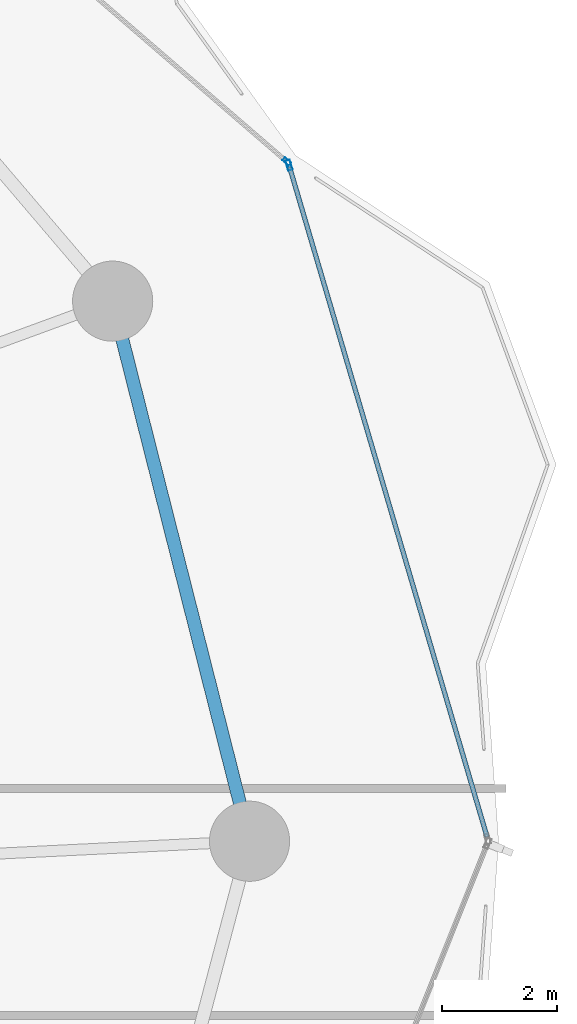
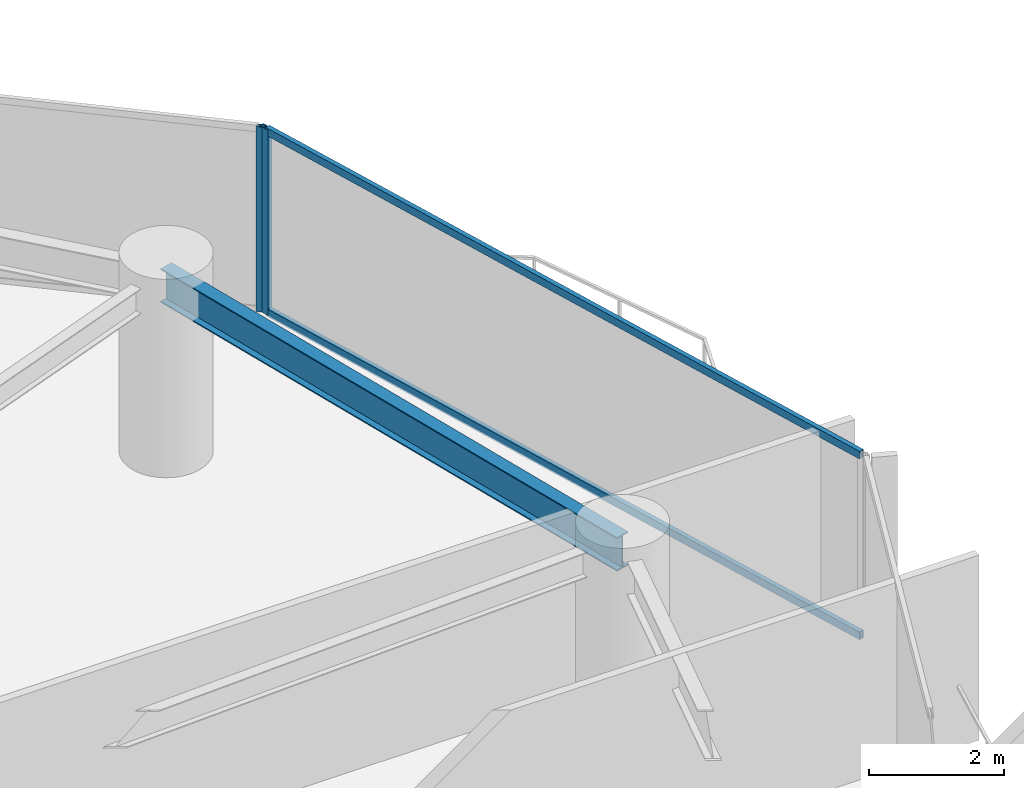
# One storey, part 24 of 33: 4 members, 1 beam, 2 elements without a shape of their own.
"""IFC4 building model written with IfcOpenShell, lengths in metres."""

from ifc_helpers import new_model, si_unit, direction, frame, origin, origin_2d, place, context, subcontext, project, spatial, hollow_rectangle, i_section, extrude, material, layer, layer_set, material_profile, profile_set, type_object, element, aggregate, save


model = new_model("IFC4")

# Units and contexts
model_context = context("Model", 3, precision=1e-05, world=origin(), true_north=direction((0.0, 1.0)))
body_context = subcontext(model_context, "Body", "Model", "MODEL_VIEW")
ifc_project = project(units=[si_unit("LENGTHUNIT", "METRE"), si_unit("AREAUNIT", "SQUARE_METRE"), si_unit("VOLUMEUNIT", "CUBIC_METRE"), si_unit("PLANEANGLEUNIT", "RADIAN"), si_unit("MASSUNIT", "GRAM", prefix="KILO")], contexts=[model_context])

# Site, building, storey
site_placement = place(None, origin())
site = spatial("IfcSite", under=ifc_project, at=site_placement, CompositionType="ELEMENT")
building_placement = place(site_placement, origin())
building = spatial("IfcBuilding", under=site, at=building_placement, Name="Kazevale Care Tower and Concert Hall", CompositionType="ELEMENT")
storey_placement = place(building_placement, frame((0.0, 0.0, 31.199951171875)))
storey = spatial("IfcBuildingStorey", under=building, at=storey_placement, Name="L07", CompositionType="ELEMENT", Elevation=31.199951171875)

# Curtain wall, member
ifc_material_1 = material(Name="Aluminium 6063-T6 and Low-E Glass", Category="aluminium")
ifc_layer_1 = layer(ifc_material_1, 0.179931640625)
ifc_layer_set_1 = layer_set([ifc_layer_1], Name="Aluminium 6063-T6 and Low-E Glass")
curtain_wall_type_1 = type_object("IfcCurtainWallType", Name="Convex Recessed Sunroom Curtain Wall CW-3", PredefinedType="NOTDEFINED", material=ifc_layer_set_1)
curtain_wall_1_placement = place(storey_placement, origin())
curtain_wall_1 = element("IfcCurtainWall", 1, at=curtain_wall_1_placement, inside=storey, type_object=curtain_wall_type_1, Name="cw:L07:f17", PredefinedType="NOTDEFINED")
ifc_material_2 = material(Name="Aluminium 6063-T6", Category="aluminium")
ifc_material_profile_1 = material_profile(ifc_material_2, hollow_rectangle(XDim=0.074951171875, YDim=0.14990234375, WallThickness=0.00390625, at=origin_2d()), Name="ALU75x150x4")
ifc_profile_set_1 = profile_set([ifc_material_profile_1], Name="Aluminium 6063-T6")
member_type_1 = type_object("IfcMemberType", Name="CW-3 Mullion ALU75x150x4", PredefinedType="MULLION", material=ifc_profile_set_1)
member_1_placement = place(storey_placement, frame((77.099609375, 49.867431640625, 0.0), z_axis=(0.0, 0.0, 1.0), x_axis=(0.653183596561, 0.757199570248, 0.0)))
member_1 = element("IfcMember", 2, at=member_1_placement, type_object=member_type_1, Name="CW-3 mullion 2", PredefinedType="MULLION", context=body_context, shape_type="SweptSolid", body=[
    extrude(hollow_rectangle(XDim=0.074951171875, YDim=0.14990234375, WallThickness=0.00390625, at=origin_2d()), origin(), (0.0, 0.0, 1.0), 3.360107421875),
])
aggregate(curtain_wall_1, [member_1])

# Curtain wall, members
ifc_layer_2 = layer(ifc_material_1, 0.179931640625)
ifc_layer_set_2 = layer_set([ifc_layer_2], Name="Aluminium 6063-T6 and Low-E Glass")
curtain_wall_type_2 = type_object("IfcCurtainWallType", Name="Waist & Upper Residential Curtain Wall CW-4", PredefinedType="NOTDEFINED", material=ifc_layer_set_2)
curtain_wall_2_placement = place(storey_placement, origin())
curtain_wall_2 = element("IfcCurtainWall", 3, at=curtain_wall_2_placement, inside=storey, type_object=curtain_wall_type_2, Name="cw:L07:f18", PredefinedType="NOTDEFINED")
ifc_material_profile_2 = material_profile(ifc_material_2, hollow_rectangle(XDim=0.080078125, YDim=0.179931640625, WallThickness=0.0048828125, at=origin_2d()), Name="ALU80x180x5")
ifc_profile_set_2 = profile_set([ifc_material_profile_2], Name="Aluminium 6063-T6")
member_type_2 = type_object("IfcMemberType", Name="CW-4 Mullion ALU80x180x5", PredefinedType="MULLION", material=ifc_profile_set_2)
member_2_placement = place(storey_placement, frame((77.139404296875, 49.8046875, 0.0), z_axis=(0.0, 0.0, 1.0), x_axis=(0.959173119586, 0.282819600918, 0.0)))
member_2 = element("IfcMember", 4, at=member_2_placement, type_object=member_type_2, Name="CW-4 mullion 1", PredefinedType="MULLION", context=body_context, shape_type="SweptSolid", body=[
    extrude(hollow_rectangle(XDim=0.080078125, YDim=0.179931640625, WallThickness=0.0048828125, at=origin_2d()), origin(), (0.0, 0.0, 1.0), 3.360107421875),
])
ifc_material_profile_3 = material_profile(ifc_material_2, hollow_rectangle(XDim=0.080078125, YDim=0.139892578125, WallThickness=0.00390625, at=origin_2d()), Name="ALU80x140x4")
ifc_profile_set_3 = profile_set([ifc_material_profile_3], Name="Aluminium 6063-T6")
member_type_3 = type_object("IfcMemberType", Name="CW-4 Transom ALU80x140x4", PredefinedType="USERDEFINED", material=ifc_profile_set_3)
member_3_placement = place(storey_placement, frame((77.150634765625, 49.766357421875, 0.0400390625), z_axis=(0.282818078945, -0.95917356835, 0.0), x_axis=(0.95917356835, 0.282818078945, 0.0)))
member_3 = element("IfcMember", 5, at=member_3_placement, type_object=member_type_3, Name="CW-4 transom 1.1", ObjectType="TRANSOM", PredefinedType="USERDEFINED", context=body_context, shape_type="SweptSolid", body=[
    extrude(hollow_rectangle(XDim=0.080078125, YDim=0.139892578125, WallThickness=0.00390625, at=origin_2d()), origin(), (0.0, 0.0, 1.0), 12.187255859375),
])
member_4_placement = place(storey_placement, frame((77.150634765625, 49.766357421875, 3.320068359375), z_axis=(0.282818078945, -0.95917356835, 0.0), x_axis=(0.95917356835, 0.282818078945, 0.0)))
member_4 = element("IfcMember", 6, at=member_4_placement, type_object=member_type_3, Name="CW-4 transom 1.2", ObjectType="TRANSOM", PredefinedType="USERDEFINED", context=body_context, shape_type="SweptSolid", body=[
    extrude(hollow_rectangle(XDim=0.080078125, YDim=0.139892578125, WallThickness=0.00390625, at=origin_2d()), origin(), (0.0, 0.0, 1.0), 12.187255859375),
])
aggregate(curtain_wall_2, [member_2, member_3, member_4])

# Beam
ifc_material_3 = material(Name="Steel ASTM A572 Gr 50", Category="steel")
ifc_material_profile_4 = material_profile(ifc_material_3, i_section(OverallWidth=0.22900390625, OverallDepth=0.612060546875, WebThickness=0.011962890625, FlangeThickness=0.01953125, at=origin_2d()), Name="W610x125")
ifc_profile_set_4 = profile_set([ifc_material_profile_4], Name="Steel ASTM A572 Gr 50")
beam_type = type_object("IfcBeamType", Name="Ring Spandrel Beam W610x125", PredefinedType="SPANDREL", material=ifc_profile_set_4)
beam_placement = place(storey_placement, frame((76.449951171875, 38.0, 3.053955078125), z_axis=(-0.245669948409, 0.969353535326, 0.0), x_axis=(-0.969353535326, -0.245669948409, 0.0)))
element("IfcBeam", 7, at=beam_placement, inside=storey, type_object=beam_type, Name="beam:L07:ring:01", PredefinedType="SPANDREL", context=body_context, shape_type="SweptSolid", body=[
    extrude(i_section(OverallWidth=0.22900390625, OverallDepth=0.612060546875, WebThickness=0.011962890625, FlangeThickness=0.01953125, at=origin_2d()), origin(), (0.0, 0.0, 1.0), 9.72802734375),
])

save(model, "model.ifc")
